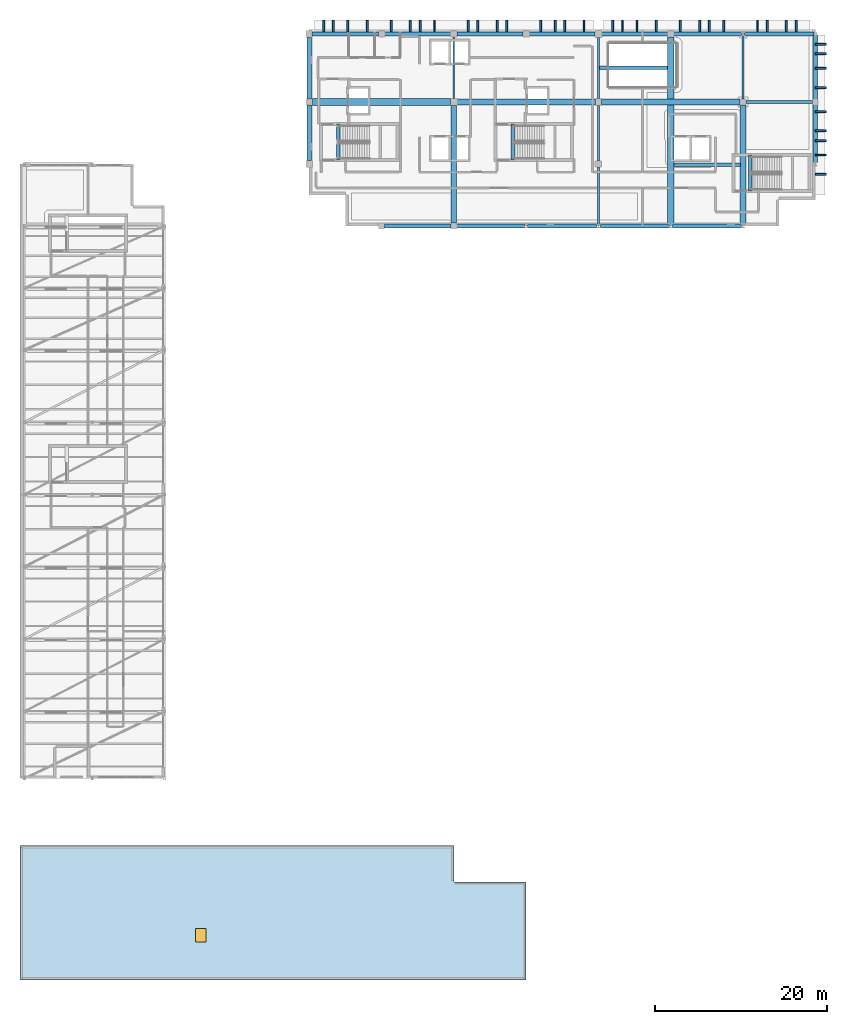
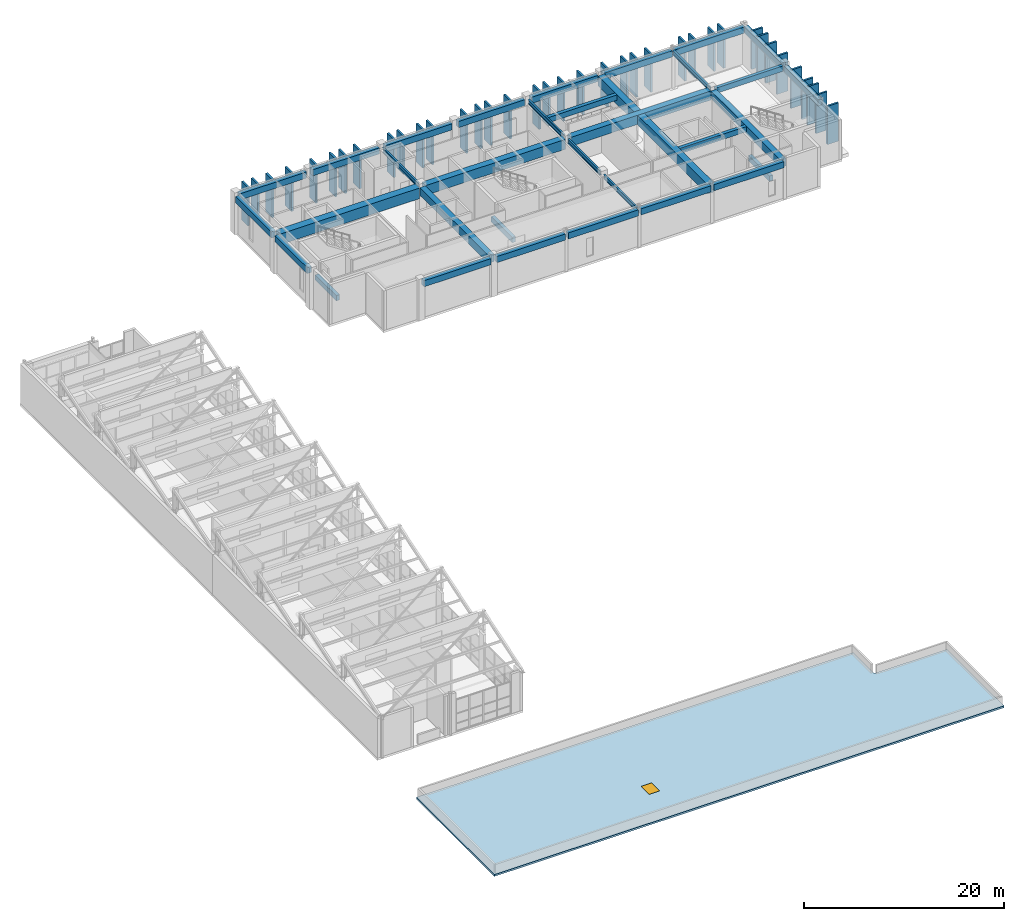
# One storey, part 20 of 34: 37 members, 33 beams, 1 slab, 1 window, 1 opening.
"""IFC4 building model written with IfcOpenShell, lengths in metres."""

from ifc_helpers import new_model, si_unit, direction, frame, origin, origin_2d, place, context, subcontext, project, spatial, polyline, rectangle, i_section, outline, extrude, material, layer, layer_set, material_profile, profile_set, type_object, element, fill, save


model = new_model("IFC4")

# Units and contexts
model_context = context("Model", 3, precision=1e-05, world=origin(), true_north=direction((0.0, 1.0)))
body_context = subcontext(model_context, "Body", "Model", "MODEL_VIEW")
ifc_project = project(units=[si_unit("LENGTHUNIT", "METRE"), si_unit("AREAUNIT", "SQUARE_METRE"), si_unit("VOLUMEUNIT", "CUBIC_METRE"), si_unit("PLANEANGLEUNIT", "RADIAN"), si_unit("MASSUNIT", "GRAM", prefix="KILO")], contexts=[model_context])

# Site, building, storey
site_placement = place(None, origin())
site = spatial("IfcSite", under=ifc_project, at=site_placement, CompositionType="ELEMENT")
building_placement = place(site_placement, origin())
building = spatial("IfcBuilding", under=site, at=building_placement, Name="Quendrovan Civic Courthouse", CompositionType="ELEMENT")
storey_placement = place(building_placement, frame((0.0, 0.0, 25.5)))
storey = spatial("IfcBuildingStorey", under=building, at=storey_placement, Name="L06", CompositionType="ELEMENT", Elevation=25.5)

# Beams
ifc_material_1 = material(Name="Post-tensioned concrete C50/60", Category="concrete")
ifc_material_profile_1 = material_profile(ifc_material_1, rectangle(XDim=0.699951171875, YDim=1.10009765625, at=origin_2d()), Name="PT-GIRD-700x1100")
ifc_profile_set_1 = profile_set([ifc_material_profile_1], Name="Post-tensioned concrete C50/60")
beam_type_1 = type_object("IfcBeamType", Name="BM-PT1100", PredefinedType="BEAM", material=ifc_profile_set_1)
beam_1_placement = place(storey_placement, frame((67.530029296875, 102.0, 4.110107421875), z_axis=(1.0, 0.0, 0.0), x_axis=(0.0, 1.0, 0.0)))
element("IfcBeam", 1, at=beam_1_placement, inside=storey, type_object=beam_type_1, Name="L06 Girder X1104", PredefinedType="BEAM", context=body_context, shape_type="SweptSolid", body=[
    extrude(rectangle(XDim=0.699951171875, YDim=1.10009765625, at=origin_2d()), origin(), (0.0, 0.0, 1.0), 16.139892578125),
])
ifc_material_profile_2 = material_profile(ifc_material_1, rectangle(XDim=0.75, YDim=1.199951171875, at=origin_2d()), Name="PT-GIRD-750x1200")
ifc_profile_set_2 = profile_set([ifc_material_profile_2], Name="Post-tensioned concrete C50/60")
beam_type_2 = type_object("IfcBeamType", Name="BM-PT1200", PredefinedType="BEAM", material=ifc_profile_set_2)
beam_2_placement = place(storey_placement, frame((50.780029296875, 102.0, 4.06005859375), z_axis=(1.0, 0.0, 0.0), x_axis=(0.0, 1.0, 0.0)))
element("IfcBeam", 2, at=beam_2_placement, inside=storey, type_object=beam_type_2, Name="L06 Girder X1103", PredefinedType="BEAM", context=body_context, shape_type="SweptSolid", body=[
    extrude(rectangle(XDim=0.75, YDim=1.199951171875, at=origin_2d()), origin(), (0.0, 0.0, 1.0), 16.090087890625),
])
beam_3_placement = place(storey_placement, frame((75.60009765625, 87.76611328125, 4.06005859375), z_axis=(0.0, 1.0, 0.0), x_axis=(-1.0, 0.0, 0.0)))
element("IfcBeam", 3, at=beam_3_placement, inside=storey, type_object=beam_type_2, Name="L06 Girder Y1121", PredefinedType="BEAM", context=body_context, shape_type="SweptSolid", body=[
    extrude(rectangle(XDim=0.75, YDim=1.199951171875, at=origin_2d()), origin(), (0.0, 0.0, 1.0), 21.803955078125),
])
ifc_material_profile_3 = material_profile(ifc_material_1, rectangle(XDim=0.85009765625, YDim=1.300048828125, at=origin_2d()), Name="PT-GRD-850x1300")
ifc_profile_set_3 = profile_set([ifc_material_profile_3], Name="Post-tensioned concrete C50/60")
beam_type_3 = type_object("IfcBeamType", Name="BM-PT1300", PredefinedType="BEAM", material=ifc_profile_set_3)
beam_4_placement = place(storey_placement, frame((33.955078125, 102.0, 4.010009765625), z_axis=(1.0, 0.0, 0.0), x_axis=(0.0, 1.0, 0.0)))
element("IfcBeam", 4, at=beam_4_placement, inside=storey, type_object=beam_type_3, Name="L06 Girder X1102", PredefinedType="BEAM", context=body_context, shape_type="SweptSolid", body=[
    extrude(rectangle(XDim=0.85009765625, YDim=1.300048828125, at=origin_2d()), origin(), (0.0, 0.0, 1.0), 16.06494140625),
])
ifc_material_profile_4 = material_profile(ifc_material_1, rectangle(XDim=0.64990234375, YDim=0.949951171875, at=origin_2d()), Name="PT-GIRD-650x950")
ifc_profile_set_4 = profile_set([ifc_material_profile_4], Name="Post-tensioned concrete C50/60")
beam_type_4 = type_object("IfcBeamType", Name="BM-PT950", PredefinedType="BEAM", material=ifc_profile_set_4)
beam_5_placement = place(storey_placement, frame((50.39990234375, 87.929931640625, 4.18505859375), z_axis=(0.0, 1.0, 0.0), x_axis=(-1.0, 0.0, 0.0)))
element("IfcBeam", 5, at=beam_5_placement, inside=storey, type_object=beam_type_4, Name="L06 Girder Y1116", PredefinedType="BEAM", context=body_context, shape_type="SweptSolid", body=[
    extrude(rectangle(XDim=0.64990234375, YDim=0.949951171875, at=origin_2d()), origin(), (0.0, 0.0, 1.0), 13.690185546875),
])
beam_6_placement = place(storey_placement, frame((84.0, 87.76611328125, 4.18505859375), z_axis=(0.0, 1.0, 0.0), x_axis=(-1.0, 0.0, 0.0)))
element("IfcBeam", 6, at=beam_6_placement, inside=storey, type_object=beam_type_4, Name="L06 Girder Y1122", PredefinedType="BEAM", context=body_context, shape_type="SweptSolid", body=[
    extrude(rectangle(XDim=0.64990234375, YDim=0.949951171875, at=origin_2d()), origin(), (0.0, 0.0, 1.0), 13.90380859375),
])
ifc_material_2 = material(Name="Concrete C40/50", Category="concrete")
ifc_material_profile_5 = material_profile(ifc_material_2, rectangle(XDim=0.39990234375, YDim=0.64990234375, at=origin_2d()), Name="RC-BM-400x650")
ifc_profile_set_5 = profile_set([ifc_material_profile_5], Name="Concrete C40/50")
beam_type_5 = type_object("IfcBeamType", Name="BM-RC650", PredefinedType="JOIST", material=ifc_profile_set_5)
beam_7_placement = place(storey_placement, frame((67.284423828125, 105.96240234375, 4.3349609375), z_axis=(1.0, 0.0, 0.0), x_axis=(0.0, 1.0, 0.0)))
element("IfcBeam", 7, at=beam_7_placement, inside=storey, type_object=beam_type_5, Name="L06 Secondary Joist 1126", PredefinedType="JOIST", context=body_context, shape_type="SweptSolid", body=[
    extrude(rectangle(XDim=0.39990234375, YDim=0.64990234375, at=origin_2d()), origin(), (0.0, 0.0, 1.0), 7.960693359375),
])
beam_8_placement = place(storey_placement, frame((75.955078125, 94.718017578125, 4.3349609375), z_axis=(1.0, 0.0, 0.0), x_axis=(0.0, 1.0, 0.0)))
element("IfcBeam", 8, at=beam_8_placement, inside=storey, type_object=beam_type_5, Name="L06 Secondary Joist 1127", PredefinedType="JOIST", context=body_context, shape_type="SweptSolid", body=[
    extrude(rectangle(XDim=0.39990234375, YDim=0.64990234375, at=origin_2d()), origin(), (0.0, 0.0, 1.0), 7.739990234375),
])
for number, where, z_axis, x_axis, name in (
    (9, (36.949951171875, 95.25, -0.324951171875), (0.0, 1.0, 0.0), (-1.0, 0.0, 0.0), "L06 Stair ST1 Landing Trimmer Beam"),
    (10, (57.25, 95.25, -0.324951171875), (0.0, 1.0, 0.0), (-1.0, 0.0, 0.0), "L06 Stair ST2 Landing Trimmer Beam"),
):
    element("IfcBeam", number, at=place(storey_placement, frame(where, z_axis=z_axis, x_axis=x_axis)), inside=storey, type_object=beam_type_5, Name=name, PredefinedType="JOIST", context=body_context, shape_type="SweptSolid", body=[
        extrude(rectangle(XDim=0.39990234375, YDim=0.64990234375, at=origin_2d()), origin(), (0.0, 0.0, 1.0), 4.199951171875),
    ])
beam_9_placement = place(storey_placement, frame((84.85009765625, 91.64990234375, -0.324951171875), z_axis=(0.0, 1.0, 0.0), x_axis=(-1.0, 0.0, 0.0)))
element("IfcBeam", 11, at=beam_9_placement, inside=storey, type_object=beam_type_5, Name="L06 Stair ST3 Landing Trimmer Beam", PredefinedType="JOIST", context=body_context, shape_type="SweptSolid", body=[
    extrude(rectangle(XDim=0.39990234375, YDim=0.64990234375, at=origin_2d()), origin(), (0.0, 0.0, 1.0), 4.2001953125),
])
ifc_material_profile_6 = material_profile(ifc_material_2, rectangle(XDim=0.35009765625, YDim=0.64990234375, at=origin_2d()), Name="RC-BM-350x650")
ifc_profile_set_6 = profile_set([ifc_material_profile_6], Name="Concrete C40/50")
beam_type_6 = type_object("IfcBeamType", Name="BM-RC650B", PredefinedType="BEAM", material=ifc_profile_set_6)
beam_10_placement = place(storey_placement, frame((84.330078125, 102.0, 4.3349609375), z_axis=(1.0, 0.0, 0.0), x_axis=(0.0, 1.0, 0.0)))
element("IfcBeam", 12, at=beam_10_placement, inside=storey, type_object=beam_type_6, Name="L06 Girder X1105", PredefinedType="BEAM", context=body_context, shape_type="SweptSolid", body=[
    extrude(rectangle(XDim=0.35009765625, YDim=0.64990234375, at=origin_2d()), origin(), (0.0, 0.0, 1.0), 7.764892578125),
])
ifc_material_profile_7 = material_profile(ifc_material_2, rectangle(XDim=0.5, YDim=0.75, at=origin_2d()), Name="RC-BM-500x750")
ifc_profile_set_7 = profile_set([ifc_material_profile_7], Name="Concrete C40/50")
beam_type_7 = type_object("IfcBeamType", Name="BM-RC750", PredefinedType="SPANDREL", material=ifc_profile_set_7)
beam_11_placement = place(storey_placement, frame((42.330078125, 87.60009765625, 4.284912109375), z_axis=(1.0, 0.0, 0.0), x_axis=(0.0, 1.0, 0.0)))
element("IfcBeam", 13, at=beam_11_placement, inside=storey, type_object=beam_type_7, Name="L06 Girder X1096", PredefinedType="SPANDREL", context=body_context, shape_type="SweptSolid", body=[
    extrude(rectangle(XDim=0.5, YDim=0.75, at=origin_2d()), origin(), (0.0, 0.0, 1.0), 7.739990234375),
])
beam_12_placement = place(storey_placement, frame((50.72998046875, 87.60009765625, 4.284912109375), z_axis=(1.0, 0.0, 0.0), x_axis=(0.0, 1.0, 0.0)))
element("IfcBeam", 14, at=beam_12_placement, inside=storey, type_object=beam_type_7, Name="L06 Girder X1097", PredefinedType="SPANDREL", context=body_context, shape_type="SweptSolid", body=[
    extrude(rectangle(XDim=0.5, YDim=0.75, at=origin_2d()), origin(), (0.0, 0.0, 1.0), 7.903076171875),
])
beam_13_placement = place(storey_placement, frame((58.967041015625, 87.60009765625, 4.284912109375), z_axis=(1.0, 0.0, 0.0), x_axis=(0.0, 1.0, 0.0)))
element("IfcBeam", 15, at=beam_13_placement, inside=storey, type_object=beam_type_7, Name="L06 Girder X1098", PredefinedType="SPANDREL", context=body_context, shape_type="SweptSolid", body=[
    extrude(rectangle(XDim=0.5, YDim=0.75, at=origin_2d()), origin(), (0.0, 0.0, 1.0), 8.06591796875),
])
beam_14_placement = place(storey_placement, frame((67.366943359375, 87.60009765625, 4.284912109375), z_axis=(1.0, 0.0, 0.0), x_axis=(0.0, 1.0, 0.0)))
element("IfcBeam", 16, at=beam_14_placement, inside=storey, type_object=beam_type_7, Name="L06 Girder X1099", PredefinedType="SPANDREL", context=body_context, shape_type="SweptSolid", body=[
    extrude(rectangle(XDim=0.5, YDim=0.75, at=origin_2d()), origin(), (0.0, 0.0, 1.0), 8.066162109375),
])
beam_15_placement = place(storey_placement, frame((75.76708984375, 87.60009765625, 4.284912109375), z_axis=(1.0, 0.0, 0.0), x_axis=(0.0, 1.0, 0.0)))
element("IfcBeam", 17, at=beam_15_placement, inside=storey, type_object=beam_type_7, Name="L06 Girder X1100", PredefinedType="SPANDREL", context=body_context, shape_type="SweptSolid", body=[
    extrude(rectangle(XDim=0.5, YDim=0.75, at=origin_2d()), origin(), (0.0, 0.0, 1.0), 8.06591796875),
])
beam_16_placement = place(storey_placement, frame((33.929931640625, 109.89990234375, 4.284912109375), z_axis=(1.0, 0.0, 0.0), x_axis=(0.0, 1.0, 0.0)))
element("IfcBeam", 18, at=beam_16_placement, inside=storey, type_object=beam_type_7, Name="L06 Girder X1106", PredefinedType="SPANDREL", context=body_context, shape_type="SweptSolid", body=[
    extrude(rectangle(XDim=0.5, YDim=0.75, at=origin_2d()), origin(), (0.0, 0.0, 1.0), 7.715087890625),
])
beam_17_placement = place(storey_placement, frame((42.35498046875, 109.89990234375, 4.284912109375), z_axis=(1.0, 0.0, 0.0), x_axis=(0.0, 1.0, 0.0)))
element("IfcBeam", 19, at=beam_17_placement, inside=storey, type_object=beam_type_7, Name="L06 Girder X1107", PredefinedType="SPANDREL", context=body_context, shape_type="SweptSolid", body=[
    extrude(rectangle(XDim=0.5, YDim=0.75, at=origin_2d()), origin(), (0.0, 0.0, 1.0), 7.68994140625),
])
beam_18_placement = place(storey_placement, frame((50.7548828125, 109.89990234375, 4.284912109375), z_axis=(1.0, 0.0, 0.0), x_axis=(0.0, 1.0, 0.0)))
element("IfcBeam", 20, at=beam_18_placement, inside=storey, type_object=beam_type_7, Name="L06 Girder X1108", PredefinedType="SPANDREL", context=body_context, shape_type="SweptSolid", body=[
    extrude(rectangle(XDim=0.5, YDim=0.75, at=origin_2d()), origin(), (0.0, 0.0, 1.0), 7.690185546875),
])
beam_19_placement = place(storey_placement, frame((59.155029296875, 109.89990234375, 4.284912109375), z_axis=(1.0, 0.0, 0.0), x_axis=(0.0, 1.0, 0.0)))
element("IfcBeam", 21, at=beam_19_placement, inside=storey, type_object=beam_type_7, Name="L06 Girder X1109", PredefinedType="SPANDREL", context=body_context, shape_type="SweptSolid", body=[
    extrude(rectangle(XDim=0.5, YDim=0.75, at=origin_2d()), origin(), (0.0, 0.0, 1.0), 7.6650390625),
])
beam_20_placement = place(storey_placement, frame((67.580078125, 109.89990234375, 4.284912109375), z_axis=(1.0, 0.0, 0.0), x_axis=(0.0, 1.0, 0.0)))
element("IfcBeam", 22, at=beam_20_placement, inside=storey, type_object=beam_type_7, Name="L06 Girder X1110", PredefinedType="SPANDREL", context=body_context, shape_type="SweptSolid", body=[
    extrude(rectangle(XDim=0.5, YDim=0.75, at=origin_2d()), origin(), (0.0, 0.0, 1.0), 7.68994140625),
])
beam_21_placement = place(storey_placement, frame((75.929931640625, 109.89990234375, 4.284912109375), z_axis=(1.0, 0.0, 0.0), x_axis=(0.0, 1.0, 0.0)))
element("IfcBeam", 23, at=beam_21_placement, inside=storey, type_object=beam_type_7, Name="L06 Girder X1111", PredefinedType="SPANDREL", context=body_context, shape_type="SweptSolid", body=[
    extrude(rectangle(XDim=0.5, YDim=0.75, at=origin_2d()), origin(), (0.0, 0.0, 1.0), 7.903076171875),
])
beam_22_placement = place(storey_placement, frame((84.1669921875, 109.89990234375, 4.284912109375), z_axis=(1.0, 0.0, 0.0), x_axis=(0.0, 1.0, 0.0)))
element("IfcBeam", 24, at=beam_22_placement, inside=storey, type_object=beam_type_7, Name="L06 Girder X1112", PredefinedType="SPANDREL", context=body_context, shape_type="SweptSolid", body=[
    extrude(rectangle(XDim=0.5, YDim=0.75, at=origin_2d()), origin(), (0.0, 0.0, 1.0), 8.10302734375),
])
beam_23_placement = place(storey_placement, frame((33.60009765625, 95.179931640625, 4.284912109375), z_axis=(0.0, 1.0, 0.0), x_axis=(-1.0, 0.0, 0.0)))
element("IfcBeam", 25, at=beam_23_placement, inside=storey, type_object=beam_type_7, Name="L06 Girder Y1114", PredefinedType="SPANDREL", context=body_context, shape_type="SweptSolid", body=[
    extrude(rectangle(XDim=0.5, YDim=0.75, at=origin_2d()), origin(), (0.0, 0.0, 1.0), 6.465087890625),
])
beam_24_placement = place(storey_placement, frame((33.60009765625, 102.35498046875, 4.284912109375), z_axis=(0.0, 1.0, 0.0), x_axis=(-1.0, 0.0, 0.0)))
element("IfcBeam", 26, at=beam_24_placement, inside=storey, type_object=beam_type_7, Name="L06 Girder Y1115", PredefinedType="SPANDREL", context=body_context, shape_type="SweptSolid", body=[
    extrude(rectangle(XDim=0.5, YDim=0.75, at=origin_2d()), origin(), (0.0, 0.0, 1.0), 7.14013671875),
])
beam_25_placement = place(storey_placement, frame((92.39990234375, 94.966064453125, 4.284912109375), z_axis=(0.0, 1.0, 0.0), x_axis=(-1.0, 0.0, 0.0)))
element("IfcBeam", 27, at=beam_25_placement, inside=storey, type_object=beam_type_7, Name="L06 Girder Y1124", PredefinedType="SPANDREL", context=body_context, shape_type="SweptSolid", body=[
    extrude(rectangle(XDim=0.5, YDim=0.75, at=origin_2d()), origin(), (0.0, 0.0, 1.0), 6.72900390625),
])
beam_26_placement = place(storey_placement, frame((92.39990234375, 102.304931640625, 4.284912109375), z_axis=(0.0, 1.0, 0.0), x_axis=(-1.0, 0.0, 0.0)))
element("IfcBeam", 28, at=beam_26_placement, inside=storey, type_object=beam_type_7, Name="L06 Girder Y1125", PredefinedType="SPANDREL", context=body_context, shape_type="SweptSolid", body=[
    extrude(rectangle(XDim=0.5, YDim=0.75, at=origin_2d()), origin(), (0.0, 0.0, 1.0), 7.465087890625),
])
ifc_material_3 = material(Name="Steel ASTM A992 Grade 50", Category="steel")
ifc_material_profile_8 = material_profile(ifc_material_3, i_section(OverallWidth=0.208984375, OverallDepth=0.532958984375, WebThickness=0.01025390625, FlangeThickness=0.015625, at=origin_2d()), Name="W530x92")
ifc_profile_set_8 = profile_set([ifc_material_profile_8], Name="Steel ASTM A992 Grade 50")
beam_type_8 = type_object("IfcBeamType", Name="BM-STL-W530", PredefinedType="BEAM", material=ifc_profile_set_8)
beam_27_placement = place(storey_placement, frame((50.39990234375, 102.3798828125, 4.3935546875), z_axis=(0.0, 1.0, 0.0), x_axis=(-1.0, 0.0, 0.0)))
element("IfcBeam", 29, at=beam_27_placement, inside=storey, type_object=beam_type_8, Name="L06 Girder Y1117", PredefinedType="BEAM", context=body_context, shape_type="SweptSolid", body=[
    extrude(i_section(OverallWidth=0.208984375, OverallDepth=0.532958984375, WebThickness=0.01025390625, FlangeThickness=0.015625, at=origin_2d()), origin(), (0.0, 0.0, 1.0), 7.1650390625),
])
beam_28_placement = place(storey_placement, frame((67.199951171875, 87.76611328125, 4.3935546875), z_axis=(0.0, 1.0, 0.0), x_axis=(-1.0, 0.0, 0.0)))
element("IfcBeam", 30, at=beam_28_placement, inside=storey, type_object=beam_type_8, Name="L06 Girder Y1118", PredefinedType="BEAM", context=body_context, shape_type="SweptSolid", body=[
    extrude(i_section(OverallWidth=0.208984375, OverallDepth=0.532958984375, WebThickness=0.01025390625, FlangeThickness=0.015625, at=origin_2d()), origin(), (0.0, 0.0, 1.0), 6.678955078125),
])
beam_29_placement = place(storey_placement, frame((67.199951171875, 95.155029296875, 4.3935546875), z_axis=(0.0, 1.0, 0.0), x_axis=(-1.0, 0.0, 0.0)))
element("IfcBeam", 31, at=beam_29_placement, inside=storey, type_object=beam_type_8, Name="L06 Girder Y1119", PredefinedType="BEAM", context=body_context, shape_type="SweptSolid", body=[
    extrude(i_section(OverallWidth=0.208984375, OverallDepth=0.532958984375, WebThickness=0.01025390625, FlangeThickness=0.015625, at=origin_2d()), origin(), (0.0, 0.0, 1.0), 6.43994140625),
])
beam_30_placement = place(storey_placement, frame((67.199951171875, 102.405029296875, 4.3935546875), z_axis=(0.0, 1.0, 0.0), x_axis=(-1.0, 0.0, 0.0)))
element("IfcBeam", 32, at=beam_30_placement, inside=storey, type_object=beam_type_8, Name="L06 Girder Y1120", PredefinedType="BEAM", context=body_context, shape_type="SweptSolid", body=[
    extrude(i_section(OverallWidth=0.208984375, OverallDepth=0.532958984375, WebThickness=0.01025390625, FlangeThickness=0.015625, at=origin_2d()), origin(), (0.0, 0.0, 1.0), 7.114990234375),
])
beam_31_placement = place(storey_placement, frame((84.0, 102.330078125, 4.3935546875), z_axis=(0.0, 1.0, 0.0), x_axis=(-1.0, 0.0, 0.0)))
element("IfcBeam", 33, at=beam_31_placement, inside=storey, type_object=beam_type_8, Name="L06 Girder Y1123", PredefinedType="BEAM", context=body_context, shape_type="SweptSolid", body=[
    extrude(i_section(OverallWidth=0.208984375, OverallDepth=0.532958984375, WebThickness=0.01025390625, FlangeThickness=0.015625, at=origin_2d()), origin(), (0.0, 0.0, 1.0), 7.40380859375),
])

# Members
ifc_material_4 = material(Name="Precast concrete C45/55", Category="concrete")
ifc_material_profile_9 = material_profile(ifc_material_4, rectangle(XDim=0.219970703125, YDim=1.280029296875, at=origin_2d()), Name="PC-FIN-220x1280")
ifc_profile_set_9 = profile_set([ifc_material_profile_9], Name="Precast concrete C45/55")
member_type = type_object("IfcMemberType", Name="MEM-PC-FIN1280", PredefinedType="USERDEFINED", material=ifc_profile_set_9)
for number, where, z_axis, x_axis, name in (
    (34, (93.031982421875, 108.719970703125, 0.0), (0.0, 0.0, 1.0), (0.0, -1.0, 0.0), "L06 Precast Concrete Facade Fin 0083"),
    (35, (93.031982421875, 107.60009765625, 0.0), (0.0, 0.0, 1.0), (0.0, -1.0, 0.0), "L06 Precast Concrete Facade Fin 0084"),
    (36, (93.031982421875, 105.919921875, 0.0), (0.0, 0.0, 1.0), (0.0, -1.0, 0.0), "L06 Precast Concrete Facade Fin 0085"),
    (37, (93.031982421875, 103.679931640625, 0.0), (0.0, 0.0, 1.0), (0.0, -1.0, 0.0), "L06 Precast Concrete Facade Fin 0086"),
    (38, (93.031982421875, 100.8798828125, 0.0), (0.0, 0.0, 1.0), (0.0, -1.0, 0.0), "L06 Precast Concrete Facade Fin 0087"),
    (39, (93.031982421875, 98.639892578125, 0.0), (0.0, 0.0, 1.0), (0.0, -1.0, 0.0), "L06 Precast Concrete Facade Fin 0088"),
    (40, (93.031982421875, 97.52001953125, 0.0), (0.0, 0.0, 1.0), (0.0, -1.0, 0.0), "L06 Precast Concrete Facade Fin 0089"),
    (41, (93.031982421875, 95.840087890625, 0.0), (0.0, 0.0, 1.0), (0.0, -1.0, 0.0), "L06 Precast Concrete Facade Fin 0090"),
    (42, (93.031982421875, 93.60009765625, 0.0), (0.0, 0.0, 1.0), (0.0, -1.0, 0.0), "L06 Precast Concrete Facade Fin 0091"),
    (43, (35.280029296875, 110.83203125, 0.0), (0.0, 0.0, 1.0), (1.0, 0.0, 0.0), "L06 Precast Concrete Facade Fin 0092"),
    (44, (36.39990234375, 110.83203125, 0.0), (0.0, 0.0, 1.0), (1.0, 0.0, 0.0), "L06 Precast Concrete Facade Fin 0093"),
    (45, (38.080078125, 110.83203125, 0.0), (0.0, 0.0, 1.0), (1.0, 0.0, 0.0), "L06 Precast Concrete Facade Fin 0094"),
    (46, (40.320068359375, 110.83203125, 0.0), (0.0, 0.0, 1.0), (1.0, 0.0, 0.0), "L06 Precast Concrete Facade Fin 0095"),
    (47, (43.1201171875, 110.83203125, 0.0), (0.0, 0.0, 1.0), (1.0, 0.0, 0.0), "L06 Precast Concrete Facade Fin 0096"),
    (48, (45.360107421875, 110.83203125, 0.0), (0.0, 0.0, 1.0), (1.0, 0.0, 0.0), "L06 Precast Concrete Facade Fin 0097"),
    (49, (46.47998046875, 110.83203125, 0.0), (0.0, 0.0, 1.0), (1.0, 0.0, 0.0), "L06 Precast Concrete Facade Fin 0098"),
    (50, (48.159912109375, 110.83203125, 0.0), (0.0, 0.0, 1.0), (1.0, 0.0, 0.0), "L06 Precast Concrete Facade Fin 0099"),
    (51, (52.080078125, 110.83203125, 0.0), (0.0, 0.0, 1.0), (1.0, 0.0, 0.0), "L06 Precast Concrete Facade Fin 0100"),
    (52, (53.199951171875, 110.83203125, 0.0), (0.0, 0.0, 1.0), (1.0, 0.0, 0.0), "L06 Precast Concrete Facade Fin 0101"),
    (53, (55.43994140625, 110.83203125, 0.0), (0.0, 0.0, 1.0), (1.0, 0.0, 0.0), "L06 Precast Concrete Facade Fin 0102"),
    (54, (56.56005859375, 110.83203125, 0.0), (0.0, 0.0, 1.0), (1.0, 0.0, 0.0), "L06 Precast Concrete Facade Fin 0103"),
    (55, (60.47998046875, 110.83203125, 0.0), (0.0, 0.0, 1.0), (1.0, 0.0, 0.0), "L06 Precast Concrete Facade Fin 0104"),
    (56, (62.159912109375, 110.83203125, 0.0), (0.0, 0.0, 1.0), (1.0, 0.0, 0.0), "L06 Precast Concrete Facade Fin 0105"),
    (57, (63.280029296875, 110.83203125, 0.0), (0.0, 0.0, 1.0), (1.0, 0.0, 0.0), "L06 Precast Concrete Facade Fin 0106"),
    (58, (65.52001953125, 110.83203125, 0.0), (0.0, 0.0, 1.0), (1.0, 0.0, 0.0), "L06 Precast Concrete Facade Fin 0107"),
    (59, (68.8798828125, 110.83203125, 0.0), (0.0, 0.0, 1.0), (1.0, 0.0, 0.0), "L06 Precast Concrete Facade Fin 0108"),
    (60, (70.0, 110.83203125, 0.0), (0.0, 0.0, 1.0), (1.0, 0.0, 0.0), "L06 Precast Concrete Facade Fin 0109"),
    (61, (71.679931640625, 110.83203125, 0.0), (0.0, 0.0, 1.0), (1.0, 0.0, 0.0), "L06 Precast Concrete Facade Fin 0110"),
    (62, (73.919921875, 110.83203125, 0.0), (0.0, 0.0, 1.0), (1.0, 0.0, 0.0), "L06 Precast Concrete Facade Fin 0111"),
    (63, (76.719970703125, 110.83203125, 0.0), (0.0, 0.0, 1.0), (1.0, 0.0, 0.0), "L06 Precast Concrete Facade Fin 0112"),
    (64, (78.9599609375, 110.83203125, 0.0), (0.0, 0.0, 1.0), (1.0, 0.0, 0.0), "L06 Precast Concrete Facade Fin 0113"),
    (65, (80.080078125, 110.83203125, 0.0), (0.0, 0.0, 1.0), (1.0, 0.0, 0.0), "L06 Precast Concrete Facade Fin 0114"),
    (66, (81.760009765625, 110.83203125, 0.0), (0.0, 0.0, 1.0), (1.0, 0.0, 0.0), "L06 Precast Concrete Facade Fin 0115"),
    (67, (85.679931640625, 110.83203125, 0.0), (0.0, 0.0, 1.0), (1.0, 0.0, 0.0), "L06 Precast Concrete Facade Fin 0116"),
    (68, (86.800048828125, 110.83203125, 0.0), (0.0, 0.0, 1.0), (1.0, 0.0, 0.0), "L06 Precast Concrete Facade Fin 0117"),
    (69, (89.0400390625, 110.83203125, 0.0), (0.0, 0.0, 1.0), (1.0, 0.0, 0.0), "L06 Precast Concrete Facade Fin 0118"),
    (70, (90.159912109375, 110.83203125, 0.0), (0.0, 0.0, 1.0), (1.0, 0.0, 0.0), "L06 Precast Concrete Facade Fin 0119"),
):
    element("IfcMember", number, at=place(storey_placement, frame(where, z_axis=z_axis, x_axis=x_axis)), inside=storey, type_object=member_type, Name=name, ObjectType="PRECAST FACADE FIN", PredefinedType="USERDEFINED", context=body_context, shape_type="SweptSolid", body=[
        extrude(rectangle(XDim=0.219970703125, YDim=1.280029296875, at=origin_2d()), origin(), (0.0, 0.0, 1.0), 4.679931640625),
    ])

# Slab, opening, window
ifc_layer = layer(ifc_material_2, 0.219970703125, Name="Concrete C40/50")
ifc_layer_set = layer_set([ifc_layer], Name="Concrete C40/50")
slab_type = type_object("IfcSlabType", Name="SLB-RC-220", PredefinedType="ROOF", material=ifc_layer_set)
slab_placement = place(storey_placement, frame((0.0, 0.0, -0.219970703125)))
slab = element("IfcSlab", 71, at=slab_placement, inside=storey, type_object=slab_type, Name="L06 Step-Back Structural Roof Slab SLB-ROOF-L06-21", PredefinedType="ROOF", context=body_context, shape_type="SweptSolid", body=[
    extrude(outline(polyline([(50.39990234375, 15.60009765625), (50.39990234375, 11.39990234375), (58.800048828125, 11.39990234375), (58.800048828125, 0.0), (0.0, 0.0), (0.0, 15.60009765625), (50.39990234375, 15.60009765625)])), origin(), (0.0, 0.0, 1.0), 0.219970703125),
])
opening_placement = place(slab_placement, frame((21.0, 5.199951171875, 0.0)))
opening = element("IfcOpeningElement", 72, at=opening_placement, cuts=slab, Name="Opening RH2", PredefinedType="OPENING", context=body_context, shape_type="SweptSolid", body=[
    extrude(rectangle(XDim=1.199951171875, YDim=1.60009765625, at=origin_2d()), frame((0.0, 0.0, -0.010009765625)), (0.0, 0.0, 1.0), 0.239990234375),
])
ifc_material_5 = material(Name="Laminated hurricane-impact low-E glass", Category="glass")
window_type = type_object("IfcWindowType", Name="WIN-HATCH-2", PartitioningType="SINGLE_PANEL", PredefinedType="SKYLIGHT", material=ifc_material_5)
window_placement = place(opening_placement, frame((0.0, 0.0, 0.169921875)))
window = element("IfcWindow", 73, at=window_placement, inside=storey, type_object=window_type, Name="L06 Smoke-Venting Roof Access Skylight Hatch RH-06", OverallHeight=1.60009765625, OverallWidth=1.199951171875, PartitioningType="SINGLE_PANEL", PredefinedType="SKYLIGHT", context=body_context, shape_type="SweptSolid", body=[
    extrude(rectangle(XDim=1.199951171875, YDim=1.60009765625, at=origin_2d()), origin(), (0.0, 0.0, 1.0), 0.050048828125),
])
fill(opening, window)

save(model, "model.ifc")
